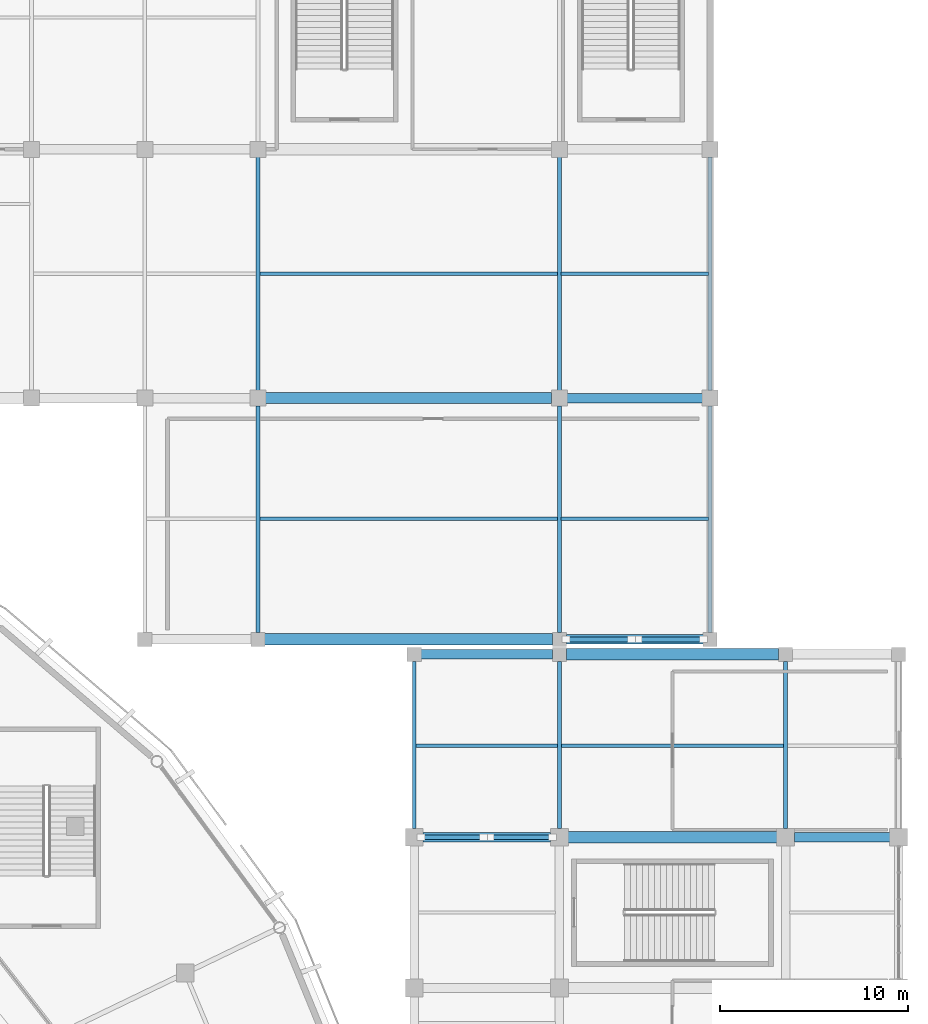
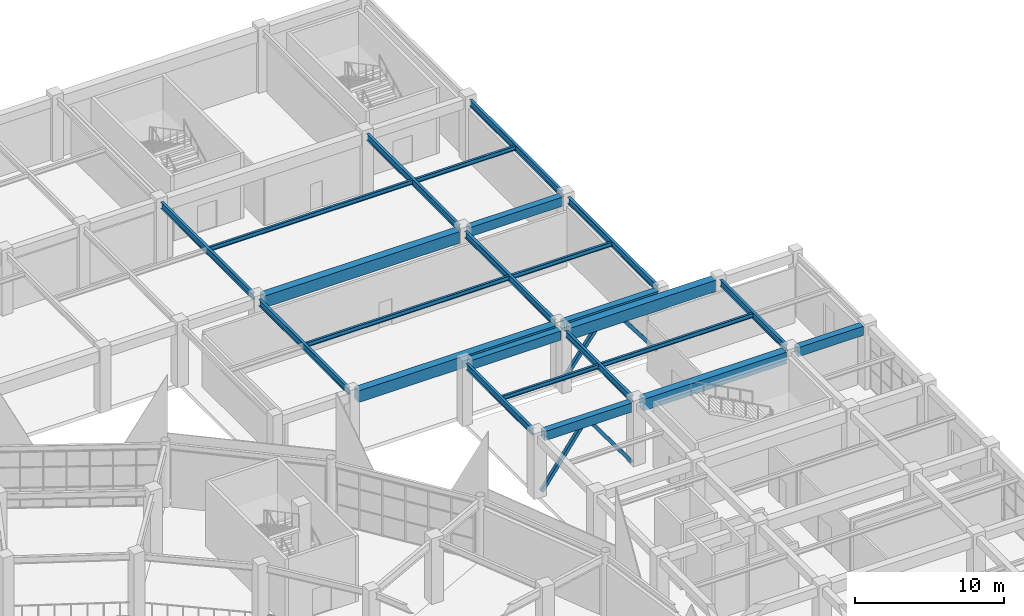
# One storey, part 54 of 120: 24 beams, 4 members.
"""IFC4 building model written with IfcOpenShell, lengths in metres."""

from ifc_helpers import new_model, si_unit, direction, frame, origin, origin_2d, place, context, subcontext, project, spatial, rectangle, hollow_rectangle, i_section, extrude, material, material_profile, profile_set, type_object, element, save


model = new_model("IFC4")

# Units and contexts
model_context = context("Model", 3, precision=1e-05, world=origin(), true_north=direction((0.0, 1.0)))
body_context = subcontext(model_context, "Body", "Model", "MODEL_VIEW")
ifc_project = project(units=[si_unit("LENGTHUNIT", "METRE"), si_unit("AREAUNIT", "SQUARE_METRE"), si_unit("VOLUMEUNIT", "CUBIC_METRE"), si_unit("PLANEANGLEUNIT", "RADIAN"), si_unit("MASSUNIT", "GRAM", prefix="KILO")], contexts=[model_context])

# Site, building, storey
site_placement = place(None, origin())
site = spatial("IfcSite", under=ifc_project, at=site_placement, CompositionType="ELEMENT")
building_placement = place(site_placement, origin())
building = spatial("IfcBuilding", under=site, at=building_placement, Name="Cuetzalor Civic Arena", CompositionType="ELEMENT")
storey_placement = place(building_placement, frame((0.0, 0.0, 6.0)))
storey = spatial("IfcBuildingStorey", under=building, at=storey_placement, Name="L01", CompositionType="ELEMENT", Elevation=6.0)

# Beams
ifc_material_1 = material(Name="Concrete C40/50", Category="concrete")
ifc_material_profile_1 = material_profile(ifc_material_1, rectangle(XDim=0.5, YDim=0.75, at=origin_2d()), Name="RC 500x750")
ifc_profile_set_1 = profile_set([ifc_material_profile_1], Name="Concrete C40/50")
beam_type_1 = type_object("IfcBeamType", Name="ConcreteFrameBeam_500x750", PredefinedType="BEAM", material=ifc_profile_set_1)
beam_1_placement = place(storey_placement, frame((56.764892578125, 25.0, 4.7451171875), z_axis=(1.0, 0.0, 0.0), x_axis=(0.0, 1.0, 0.0)))
element("IfcBeam", 1, at=beam_1_placement, inside=storey, type_object=beam_type_1, Name="Frame Girder V4E-L01-X0453", PredefinedType="BEAM", context=body_context, shape_type="SweptSolid", body=[
    extrude(rectangle(XDim=0.5, YDim=0.75, at=origin_2d()), origin(), (0.0, 0.0, 1.0), 6.77001953125),
])
beam_2_placement = place(storey_placement, frame((76.465087890625, 25.0, 4.7451171875), z_axis=(1.0, 0.0, 0.0), x_axis=(0.0, 1.0, 0.0)))
element("IfcBeam", 2, at=beam_2_placement, inside=storey, type_object=beam_type_1, Name="Frame Girder V4E-L01-X0455", PredefinedType="BEAM", context=body_context, shape_type="SweptSolid", body=[
    extrude(rectangle(XDim=0.5, YDim=0.75, at=origin_2d()), origin(), (0.0, 0.0, 1.0), 5.06982421875),
])
beam_3_placement = place(storey_placement, frame((56.6650390625, 34.699951171875, 4.7451171875), z_axis=(1.0, 0.0, 0.0), x_axis=(0.0, 1.0, 0.0)))
element("IfcBeam", 3, at=beam_3_placement, inside=storey, type_object=beam_type_1, Name="Frame Girder V4E-L01-X0456", PredefinedType="BEAM", context=body_context, shape_type="SweptSolid", body=[
    extrude(rectangle(XDim=0.5, YDim=0.75, at=origin_2d()), origin(), (0.0, 0.0, 1.0), 6.969970703125),
])
beam_4_placement = place(storey_placement, frame((64.364990234375, 35.5, 4.705078125), z_axis=(1.0, 0.0, 0.0), x_axis=(0.0, 1.0, 0.0)))
element("IfcBeam", 4, at=beam_4_placement, inside=storey, type_object=beam_type_1, Name="Frame Girder V5-L01-X0506", PredefinedType="BEAM", context=body_context, shape_type="SweptSolid", body=[
    extrude(rectangle(XDim=0.5, YDim=0.75, at=origin_2d()), origin(), (0.0, 0.0, 1.0), 7.27001953125),
])
beam_5_placement = place(storey_placement, frame((64.4150390625, 48.300048828125, 4.705078125), z_axis=(1.0, 0.0, 0.0), x_axis=(0.0, 1.0, 0.0)))
element("IfcBeam", 5, at=beam_5_placement, inside=storey, type_object=beam_type_1, Name="Frame Girder V5-L01-X0520", PredefinedType="BEAM", context=body_context, shape_type="SweptSolid", body=[
    extrude(rectangle(XDim=0.5, YDim=0.75, at=origin_2d()), origin(), (0.0, 0.0, 1.0), 7.169921875),
])
ifc_material_2 = material(Name="Concrete C40/50", Category="concrete")
ifc_material_profile_2 = material_profile(ifc_material_2, rectangle(XDim=0.60009765625, YDim=0.949951171875, at=origin_2d()), Name="RC 600x950")
ifc_profile_set_2 = profile_set([ifc_material_profile_2], Name="Concrete C40/50")
beam_type_2 = type_object("IfcBeamType", Name="ConcreteFrameBeam_600x950", PredefinedType="BEAM", material=ifc_profile_set_2)
beam_6_placement = place(storey_placement, frame((64.465087890625, 25.0, 4.64501953125), z_axis=(1.0, 0.0, 0.0), x_axis=(0.0, 1.0, 0.0)))
element("IfcBeam", 6, at=beam_6_placement, inside=storey, type_object=beam_type_2, Name="Frame Girder V4E-L01-X0454", PredefinedType="BEAM", context=body_context, shape_type="SweptSolid", body=[
    extrude(rectangle(XDim=0.60009765625, YDim=0.949951171875, at=origin_2d()), origin(), (0.0, 0.0, 1.0), 11.06982421875),
])
beam_7_placement = place(storey_placement, frame((64.364990234375, 34.699951171875, 4.64501953125), z_axis=(1.0, 0.0, 0.0), x_axis=(0.0, 1.0, 0.0)))
element("IfcBeam", 7, at=beam_7_placement, inside=storey, type_object=beam_type_2, Name="Frame Girder V4E-L01-X0457", PredefinedType="BEAM", context=body_context, shape_type="SweptSolid", body=[
    extrude(rectangle(XDim=0.60009765625, YDim=0.949951171875, at=origin_2d()), origin(), (0.0, 0.0, 1.0), 11.27001953125),
])
beam_8_placement = place(storey_placement, frame((48.364990234375, 35.5, 4.60498046875), z_axis=(1.0, 0.0, 0.0), x_axis=(0.0, 1.0, 0.0)))
element("IfcBeam", 8, at=beam_8_placement, inside=storey, type_object=beam_type_2, Name="Frame Girder V5-L01-X0505", PredefinedType="BEAM", context=body_context, shape_type="SweptSolid", body=[
    extrude(rectangle(XDim=0.60009765625, YDim=0.949951171875, at=origin_2d()), origin(), (0.0, 0.0, 1.0), 15.27001953125),
])
beam_9_placement = place(storey_placement, frame((48.4150390625, 48.300048828125, 4.60498046875), z_axis=(1.0, 0.0, 0.0), x_axis=(0.0, 1.0, 0.0)))
element("IfcBeam", 9, at=beam_9_placement, inside=storey, type_object=beam_type_2, Name="Frame Girder V5-L01-X0519", PredefinedType="BEAM", context=body_context, shape_type="SweptSolid", body=[
    extrude(rectangle(XDim=0.60009765625, YDim=0.949951171875, at=origin_2d()), origin(), (0.0, 0.0, 1.0), 15.169921875),
])

# Members
ifc_material_3 = material(Name="Steel S355", Category="steel")
ifc_material_profile_3 = material_profile(ifc_material_3, hollow_rectangle(XDim=0.260009765625, YDim=0.260009765625, WallThickness=0.012451171875, at=origin_2d()), Name="RHS 260x260x12.5")
ifc_profile_set_3 = profile_set([ifc_material_profile_3], Name="Steel S355")
member_type = type_object("IfcMemberType", Name="LateralFrameBrace_RHS260", PredefinedType="BRACE", material=ifc_profile_set_3)
for number, where, z_axis, x_axis, name in (
    (10, (64.360107421875, 35.5, 0.14990234375), (0.606987383972, 0.0, 0.794711466948), (0.0, 1.0, 0.0), "Lateral Chevron Brace V5-L01-009"),
    (11, (71.639892578125, 35.5, 0.14990234375), (-0.606987383972, 0.0, 0.794711466948), (0.0, -1.0, 0.0), "Lateral Chevron Brace V5-L01-010"),
):
    element("IfcMember", number, at=place(storey_placement, frame(where, z_axis=z_axis, x_axis=x_axis)), inside=storey, type_object=member_type, Name=name, PredefinedType="BRACE", context=body_context, shape_type="SweptSolid", body=[
        extrude(hollow_rectangle(XDim=0.260009765625, YDim=0.260009765625, WallThickness=0.012451171875, at=origin_2d()), origin(), (0.0, 0.0, 1.0), 5.7001953125),
    ])
member_1_placement = place(storey_placement, frame((56.659912109375, 25.0, 0.14990234375), z_axis=(0.589976220794, 0.0, 0.807420620803), x_axis=(0.0, 1.0, 0.0)))
element("IfcMember", 12, at=member_1_placement, inside=storey, type_object=member_type, Name="Lateral Chevron Brace V4E-L01-025", PredefinedType="BRACE", context=body_context, shape_type="SweptSolid", body=[
    extrude(hollow_rectangle(XDim=0.260009765625, YDim=0.260009765625, WallThickness=0.012451171875, at=origin_2d()), origin(), (0.0, 0.0, 1.0), 5.610595703125),
])
member_2_placement = place(storey_placement, frame((63.639892578125, 25.0, 0.14990234375), z_axis=(-0.58994785106, 0.0, 0.807441349591), x_axis=(0.0, -1.0, 0.0)))
element("IfcMember", 13, at=member_2_placement, inside=storey, type_object=member_type, Name="Lateral Chevron Brace V4E-L01-026", PredefinedType="BRACE", context=body_context, shape_type="SweptSolid", body=[
    extrude(hollow_rectangle(XDim=0.260009765625, YDim=0.260009765625, WallThickness=0.012451171875, at=origin_2d()), origin(), (0.0, 0.0, 1.0), 5.6103515625),
])

# Beams
ifc_material_4 = material(Name="Steel S355", Category="steel")
ifc_material_profile_4 = material_profile(ifc_material_4, i_section(OverallWidth=0.1708984375, OverallDepth=0.35498046875, WebThickness=0.007080078125, FlangeThickness=0.01171875, at=origin_2d()), Name="W360x51")
ifc_profile_set_4 = profile_set([ifc_material_profile_4], Name="Steel S355")
beam_type_3 = type_object("IfcBeamType", Name="SecondaryFloorJoist_W360", PredefinedType="JOIST", material=ifc_profile_set_4)
beam_10_placement = place(storey_placement, frame((56.396484375, 29.85009765625, 4.9423828125), z_axis=(1.0, 0.0, 0.0), x_axis=(0.0, 1.0, 0.0)))
element("IfcBeam", 14, at=beam_10_placement, inside=storey, type_object=beam_type_3, Name="Secondary Floor Joist V4E-L01-0143", PredefinedType="JOIST", context=body_context, shape_type="SweptSolid", body=[
    extrude(i_section(OverallWidth=0.1708984375, OverallDepth=0.35498046875, WebThickness=0.007080078125, FlangeThickness=0.01171875, at=origin_2d()), origin(), (0.0, 0.0, 1.0), 7.507080078125),
])
beam_11_placement = place(storey_placement, frame((64.096435546875, 29.85009765625, 4.9423828125), z_axis=(1.0, 0.0, 0.0), x_axis=(0.0, 1.0, 0.0)))
element("IfcBeam", 15, at=beam_11_placement, inside=storey, type_object=beam_type_3, Name="Secondary Floor Joist V4E-L01-0150", PredefinedType="JOIST", context=body_context, shape_type="SweptSolid", body=[
    extrude(i_section(OverallWidth=0.1708984375, OverallDepth=0.35498046875, WebThickness=0.007080078125, FlangeThickness=0.01171875, at=origin_2d()), origin(), (0.0, 0.0, 1.0), 11.80712890625),
])
for number, where, z_axis, x_axis, name in (
    (16, (48.096435546875, 41.89990234375, 4.902587890625), (1.0, 0.0, 0.0), (0.0, 1.0, 0.0), "Secondary Floor Joist V5-L01-0177"),
    (17, (48.096435546875, 54.89990234375, 4.902587890625), (1.0, 0.0, 0.0), (0.0, 1.0, 0.0), "Secondary Floor Joist V5-L01-0178"),
):
    element("IfcBeam", number, at=place(storey_placement, frame(where, z_axis=z_axis, x_axis=x_axis)), inside=storey, type_object=beam_type_3, Name=name, PredefinedType="JOIST", context=body_context, shape_type="SweptSolid", body=[
        extrude(i_section(OverallWidth=0.1708984375, OverallDepth=0.35498046875, WebThickness=0.007080078125, FlangeThickness=0.01171875, at=origin_2d()), origin(), (0.0, 0.0, 1.0), 15.80712890625),
    ])
for number, where, z_axis, x_axis, name in (
    (18, (64.096435546875, 41.89990234375, 4.902587890625), (1.0, 0.0, 0.0), (0.0, 1.0, 0.0), "Secondary Floor Joist V5-L01-0179"),
    (19, (64.096435546875, 54.89990234375, 4.902587890625), (1.0, 0.0, 0.0), (0.0, 1.0, 0.0), "Secondary Floor Joist V5-L01-0180"),
):
    element("IfcBeam", number, at=place(storey_placement, frame(where, z_axis=z_axis, x_axis=x_axis)), inside=storey, type_object=beam_type_3, Name=name, PredefinedType="JOIST", context=body_context, shape_type="SweptSolid", body=[
        extrude(i_section(OverallWidth=0.1708984375, OverallDepth=0.35498046875, WebThickness=0.007080078125, FlangeThickness=0.01171875, at=origin_2d()), origin(), (0.0, 0.0, 1.0), 7.80712890625),
    ])
ifc_material_5 = material(Name="Steel S355", Category="steel")
ifc_material_profile_5 = material_profile(ifc_material_5, i_section(OverallWidth=0.208984375, OverallDepth=0.532958984375, WebThickness=0.01025390625, FlangeThickness=0.015625, at=origin_2d()), Name="W530x92")
ifc_profile_set_5 = profile_set([ifc_material_profile_5], Name="Steel S355")
beam_type_4 = type_object("IfcBeamType", Name="SteelCollarGirder_W530", PredefinedType="BEAM", material=ifc_profile_set_5)
for number, where, z_axis, x_axis, name in (
    (20, (56.300048828125, 25.465087890625, 4.853515625), (0.0, 1.0, 0.0), (-1.0, 0.0, 0.0), "Frame Girder V4E-L01-Y0470"),
    (21, (64.0, 25.465087890625, 4.853515625), (0.0, 1.0, 0.0), (-1.0, 0.0, 0.0), "Frame Girder V4E-L01-Y0480"),
    (22, (76.0, 25.465087890625, 4.853515625), (0.0, 1.0, 0.0), (-1.0, 0.0, 0.0), "Frame Girder V4E-L01-Y0490"),
):
    element("IfcBeam", number, at=place(storey_placement, frame(where, z_axis=z_axis, x_axis=x_axis)), inside=storey, type_object=beam_type_4, Name=name, PredefinedType="BEAM", context=body_context, shape_type="SweptSolid", body=[
        extrude(i_section(OverallWidth=0.208984375, OverallDepth=0.532958984375, WebThickness=0.01025390625, FlangeThickness=0.015625, at=origin_2d()), origin(), (0.0, 0.0, 1.0), 8.869873046875),
    ])
beam_12_placement = place(storey_placement, frame((48.0, 35.864990234375, 4.8134765625), z_axis=(0.0, 1.0, 0.0), x_axis=(-1.0, 0.0, 0.0)))
element("IfcBeam", 23, at=beam_12_placement, inside=storey, type_object=beam_type_4, Name="Frame Girder V5-L01-Y0568", PredefinedType="BEAM", context=body_context, shape_type="SweptSolid", body=[
    extrude(i_section(OverallWidth=0.208984375, OverallDepth=0.532958984375, WebThickness=0.01025390625, FlangeThickness=0.015625, at=origin_2d()), origin(), (0.0, 0.0, 1.0), 12.02001953125),
])
beam_13_placement = place(storey_placement, frame((48.0, 48.715087890625, 4.8134765625), z_axis=(0.0, 1.0, 0.0), x_axis=(-1.0, 0.0, 0.0)))
element("IfcBeam", 24, at=beam_13_placement, inside=storey, type_object=beam_type_4, Name="Frame Girder V5-L01-Y0569", PredefinedType="BEAM", context=body_context, shape_type="SweptSolid", body=[
    extrude(i_section(OverallWidth=0.208984375, OverallDepth=0.532958984375, WebThickness=0.01025390625, FlangeThickness=0.015625, at=origin_2d()), origin(), (0.0, 0.0, 1.0), 12.369873046875),
])
beam_14_placement = place(storey_placement, frame((64.0, 35.864990234375, 4.8134765625), z_axis=(0.0, 1.0, 0.0), x_axis=(-1.0, 0.0, 0.0)))
element("IfcBeam", 25, at=beam_14_placement, inside=storey, type_object=beam_type_4, Name="Frame Girder V5-L01-Y0571", PredefinedType="BEAM", context=body_context, shape_type="SweptSolid", body=[
    extrude(i_section(OverallWidth=0.208984375, OverallDepth=0.532958984375, WebThickness=0.01025390625, FlangeThickness=0.015625, at=origin_2d()), origin(), (0.0, 0.0, 1.0), 12.02001953125),
])
beam_15_placement = place(storey_placement, frame((64.0, 48.715087890625, 4.8134765625), z_axis=(0.0, 1.0, 0.0), x_axis=(-1.0, 0.0, 0.0)))
element("IfcBeam", 26, at=beam_15_placement, inside=storey, type_object=beam_type_4, Name="Frame Girder V5-L01-Y0572", PredefinedType="BEAM", context=body_context, shape_type="SweptSolid", body=[
    extrude(i_section(OverallWidth=0.208984375, OverallDepth=0.532958984375, WebThickness=0.01025390625, FlangeThickness=0.015625, at=origin_2d()), origin(), (0.0, 0.0, 1.0), 12.369873046875),
])
beam_16_placement = place(storey_placement, frame((72.0, 35.864990234375, 4.8134765625), z_axis=(0.0, 1.0, 0.0), x_axis=(-1.0, 0.0, 0.0)))
element("IfcBeam", 27, at=beam_16_placement, inside=storey, type_object=beam_type_4, Name="Frame Girder V5-L01-Y0574", PredefinedType="BEAM", context=body_context, shape_type="SweptSolid", body=[
    extrude(i_section(OverallWidth=0.208984375, OverallDepth=0.532958984375, WebThickness=0.01025390625, FlangeThickness=0.015625, at=origin_2d()), origin(), (0.0, 0.0, 1.0), 12.02001953125),
])
beam_17_placement = place(storey_placement, frame((72.0, 48.715087890625, 4.8134765625), z_axis=(0.0, 1.0, 0.0), x_axis=(-1.0, 0.0, 0.0)))
element("IfcBeam", 28, at=beam_17_placement, inside=storey, type_object=beam_type_4, Name="Frame Girder V5-L01-Y0575", PredefinedType="BEAM", context=body_context, shape_type="SweptSolid", body=[
    extrude(i_section(OverallWidth=0.208984375, OverallDepth=0.532958984375, WebThickness=0.01025390625, FlangeThickness=0.015625, at=origin_2d()), origin(), (0.0, 0.0, 1.0), 12.369873046875),
])

save(model, "model.ifc")
